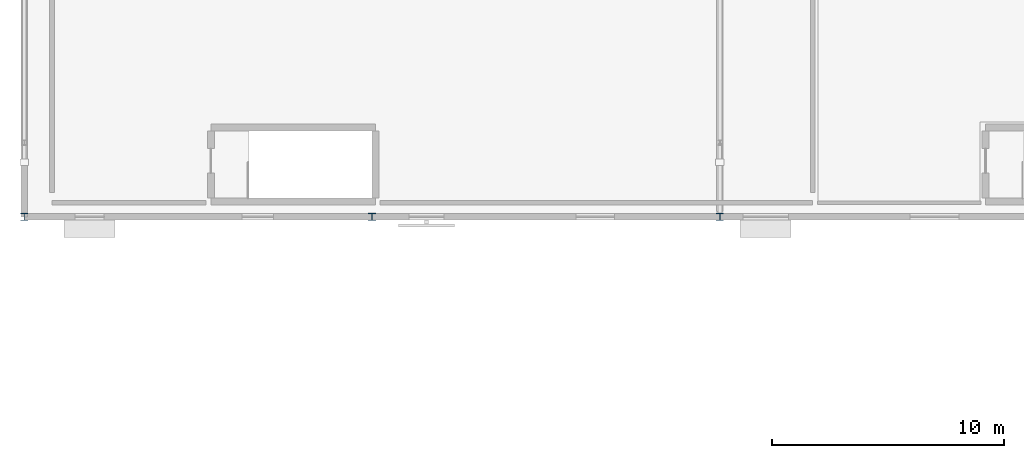
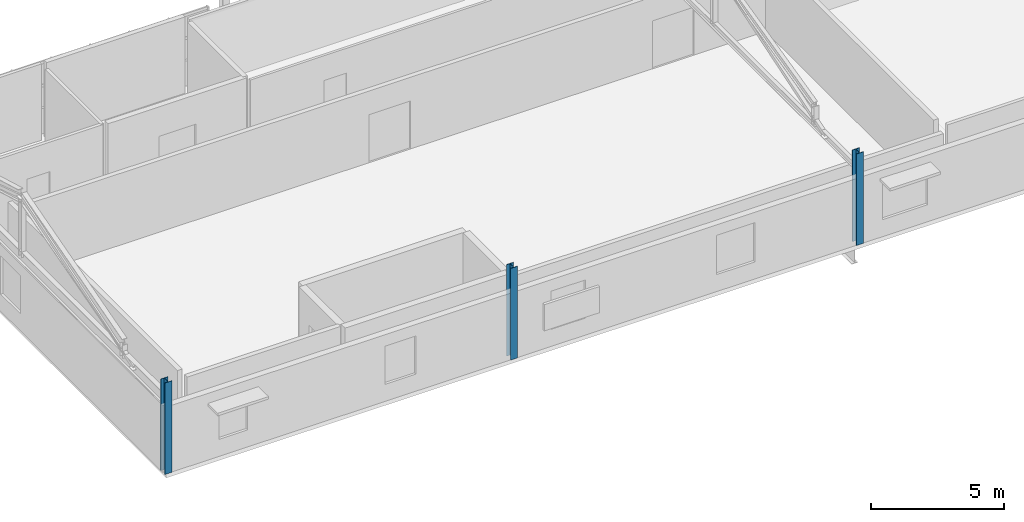
# One storey, part 1 of 90: 3 columns.
"""IFC4 building model written with IfcOpenShell, lengths in metres."""

from ifc_helpers import new_model, si_unit, direction, frame, origin, origin_2d, place, context, subcontext, project, spatial, i_section, extrude, material, material_profile, profile_set, type_object, element, save


model = new_model("IFC4")

# Units and contexts
model_context = context("Model", 3, precision=1e-05, world=origin(), true_north=direction((0.0, 1.0)))
body_context = subcontext(model_context, "Body", "Model", "MODEL_VIEW")
ifc_project = project(units=[si_unit("LENGTHUNIT", "METRE"), si_unit("AREAUNIT", "SQUARE_METRE"), si_unit("VOLUMEUNIT", "CUBIC_METRE"), si_unit("PLANEANGLEUNIT", "RADIAN"), si_unit("MASSUNIT", "GRAM", prefix="KILO")], contexts=[model_context])

# Site, building, storey
site_placement = place(None, origin())
site = spatial("IfcSite", under=ifc_project, at=site_placement, CompositionType="ELEMENT")
building_placement = place(site_placement, origin())
building = spatial("IfcBuilding", under=site, at=building_placement, Name="Solanera Park Tramway Depot", CompositionType="ELEMENT")
storey_placement = place(building_placement, frame((0.0, 0.0, 9.0)))
storey = spatial("IfcBuildingStorey", under=building, at=storey_placement, Name="L02", CompositionType="ELEMENT", Elevation=9.0)

# Columns
ifc_material = material(Name="Steel AS/NZS 3679.1 Grade 350", Category="steel")
ifc_material_profile = material_profile(ifc_material, i_section(OverallWidth=0.306884765625, OverallDepth=0.314697265625, WebThickness=0.011962890625, FlangeThickness=0.018798828125, at=origin_2d()), Name="310UC118")
ifc_profile_set = profile_set([ifc_material_profile], Name="Steel AS/NZS 3679.1 Grade 350")
column_type = type_object("IfcColumnType", Name="Steel Column Ext 310UC118", PredefinedType="COLUMN", material=ifc_profile_set)
for number, where, z_axis, x_axis, name in (
    (1, (0.0, 10.800048828125, 0.0), (0.0, 0.0, 1.0), (1.0, 0.0, 0.0), "L02 Column V2-X0-Y108"),
    (2, (15.0, 10.800048828125, 0.0), (0.0, 0.0, 1.0), (1.0, 0.0, 0.0), "L02 Column V2-X150-Y108"),
    (3, (30.0, 10.800048828125, 0.0), (0.0, 0.0, 1.0), (1.0, 0.0, 0.0), "L02 Column V2-X300-Y108"),
):
    element("IfcColumn", number, at=place(storey_placement, frame(where, z_axis=z_axis, x_axis=x_axis)), inside=storey, type_object=column_type, Name=name, PredefinedType="COLUMN", context=body_context, shape_type="SweptSolid", body=[
        extrude(i_section(OverallWidth=0.306884765625, OverallDepth=0.314697265625, WebThickness=0.011962890625, FlangeThickness=0.018798828125, at=origin_2d()), origin(), (0.0, 0.0, 1.0), 4.199951171875),
    ])

save(model, "model.ifc")
